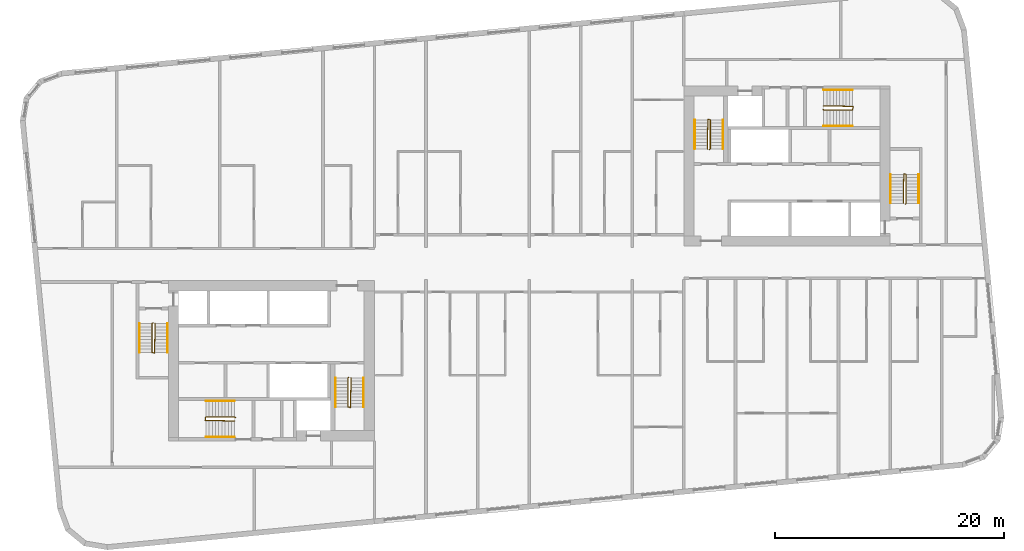
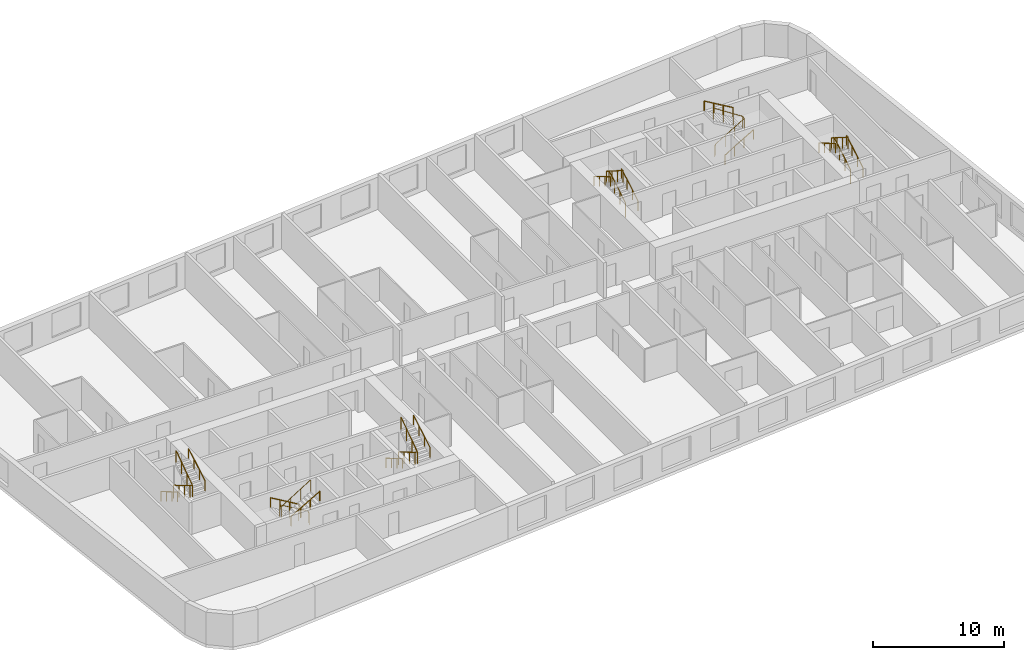
# One storey, part 12 of 12: 18 railings.
"""IFC4 building model written with IfcOpenShell, lengths in metres."""

from ifc_helpers import new_model, si_unit, direction, frame, origin, origin_2d, place, context, subcontext, project, spatial, circle, extrude, material, type_object, element, save


model = new_model("IFC4")

# Units and contexts
model_context = context("Model", 3, precision=1e-05, world=origin(), true_north=direction((0.0, 1.0)))
body_context = subcontext(model_context, "Body", "Model", "MODEL_VIEW")
ifc_project = project(units=[si_unit("LENGTHUNIT", "METRE"), si_unit("AREAUNIT", "SQUARE_METRE"), si_unit("VOLUMEUNIT", "CUBIC_METRE"), si_unit("PLANEANGLEUNIT", "RADIAN"), si_unit("MASSUNIT", "GRAM", prefix="KILO")], contexts=[model_context])

# Site, building, storey
site_placement = place(None, origin())
site = spatial("IfcSite", under=ifc_project, at=site_placement, CompositionType="ELEMENT")
building_placement = place(site_placement, origin())
building = spatial("IfcBuilding", under=site, at=building_placement, Name="Kajstack Hotel Tower", CompositionType="ELEMENT")
storey_placement = place(building_placement, frame((0.0, 0.0, 193.300048828125)))
storey = spatial("IfcBuildingStorey", under=building, at=storey_placement, Name="L46", CompositionType="ELEMENT", Elevation=193.300048828125)

# Railings
ifc_material = material(Name="Steel S355J2", Category="steel")
railing_type_1 = type_object("IfcRailingType", Name="Stair guard 1100", PredefinedType="GUARDRAIL", material=ifc_material)
railing_1_placement = place(storey_placement, frame((-32.85009765625, -5.199951171875, 0.0)))
element("IfcRailing", 1, at=railing_1_placement, inside=storey, type_object=railing_type_1, Name="L46 W1 stair guard 1", PredefinedType="GUARDRAIL", context=body_context, shape_type="SweptSolid", body=[
    extrude(circle(Radius=0.02392578125, at=origin_2d()), frame((0.0, 0.0, 1.076171875), z_axis=(-0.277450376394, -0.278810427259, 0.919394384522), x_axis=(0.708833529934, -0.705375805398, 0.0)), (0.0, 0.0, 1.0), 0.179443359375),
    extrude(circle(Radius=0.02392578125, at=origin_2d()), frame((-0.0498046875, -0.050048828125, 1.2412109375), z_axis=(0.0, -0.861560626758, 0.507654692109), x_axis=(1.0, 0.0, 0.0)), (0.0, 0.0, 1.0), 2.925048828125),
    extrude(circle(Radius=0.02392578125, at=origin_2d()), frame((-0.0498046875, -2.570068359375, 2.72607421875), z_axis=(0.970072785993, -0.242814311512, 0.0), x_axis=(0.242814311512, 0.970072785993, 0.0)), (0.0, 0.0, 1.0), 0.2060546875),
    extrude(circle(Radius=0.02392578125, at=origin_2d()), frame((0.150146484375, -2.6201171875, 2.72607421875), z_axis=(0.016384601254, 0.84136925563, 0.540212292087), x_axis=(-0.999810440751, 0.019470042781, 0.0)), (0.0, 0.0, 1.0), 3.0546875),
    extrude(circle(Radius=0.02099609375, at=origin_2d()), origin(), (0.0, 0.0, 1.0), 1.052001953125),
    extrude(circle(Radius=0.02099609375, at=origin_2d()), frame((-0.0498046875, -0.050048828125, 0.1650390625)), (0.0, 0.0, 1.0), 1.052001953125),
    extrude(circle(Radius=0.02099609375, at=origin_2d()), frame((-0.0498046875, -0.89013671875, 0.659912109375)), (0.0, 0.0, 1.0), 1.052001953125),
    extrude(circle(Radius=0.02099609375, at=origin_2d()), frame((-0.0498046875, -1.72998046875, 1.155029296875)), (0.0, 0.0, 1.0), 1.052001953125),
    extrude(circle(Radius=0.02099609375, at=origin_2d()), frame((-0.0498046875, -2.570068359375, 1.64990234375)), (0.0, 0.0, 1.0), 1.052001953125),
    extrude(circle(Radius=0.02099609375, at=origin_2d()), frame((0.150146484375, -2.6201171875, 1.64990234375)), (0.0, 0.0, 1.0), 1.052001953125),
    extrude(circle(Radius=0.02099609375, at=origin_2d()), frame((0.166748046875, -1.763427734375, 2.199951171875)), (0.0, 0.0, 1.0), 1.052001953125),
    extrude(circle(Radius=0.02099609375, at=origin_2d()), frame((0.18359375, -0.90673828125, 2.75)), (0.0, 0.0, 1.0), 1.052001953125),
    extrude(circle(Radius=0.02099609375, at=origin_2d()), frame((0.2001953125, -0.050048828125, 3.300048828125)), (0.0, 0.0, 1.0), 1.052001953125),
])
railing_2_placement = place(storey_placement, frame((-15.75, -9.949951171875, 0.0)))
element("IfcRailing", 2, at=railing_2_placement, inside=storey, type_object=railing_type_1, Name="L46 W2 stair guard 1", PredefinedType="GUARDRAIL", context=body_context, shape_type="SweptSolid", body=[
    extrude(circle(Radius=0.02392578125, at=origin_2d()), frame((0.0, 0.0, 1.076171875), z_axis=(-0.278705021027, -0.278705021027, 0.919046801044), x_axis=(0.707106781187, -0.707106781187, 0.0)), (0.0, 0.0, 1.0), 0.1796875),
    extrude(circle(Radius=0.02392578125, at=origin_2d()), frame((-0.050048828125, -0.050048828125, 1.2412109375), z_axis=(0.0, -0.861560626758, 0.507654692109), x_axis=(1.0, 0.0, 0.0)), (0.0, 0.0, 1.0), 2.925048828125),
    extrude(circle(Radius=0.02392578125, at=origin_2d()), frame((-0.050048828125, -2.570068359375, 2.72607421875), z_axis=(0.970072785993, -0.242814311512, 0.0), x_axis=(0.242814311512, 0.970072785993, 0.0)), (0.0, 0.0, 1.0), 0.2060546875),
    extrude(circle(Radius=0.02392578125, at=origin_2d()), frame((0.14990234375, -2.6201171875, 2.72607421875), z_axis=(0.016384601254, 0.84136925563, 0.540212292087), x_axis=(-0.999810440751, 0.019470042781, 0.0)), (0.0, 0.0, 1.0), 3.0546875),
    extrude(circle(Radius=0.02099609375, at=origin_2d()), origin(), (0.0, 0.0, 1.0), 1.052001953125),
    extrude(circle(Radius=0.02099609375, at=origin_2d()), frame((-0.050048828125, -0.050048828125, 0.1650390625)), (0.0, 0.0, 1.0), 1.052001953125),
    extrude(circle(Radius=0.02099609375, at=origin_2d()), frame((-0.050048828125, -0.89013671875, 0.659912109375)), (0.0, 0.0, 1.0), 1.052001953125),
    extrude(circle(Radius=0.02099609375, at=origin_2d()), frame((-0.050048828125, -1.72998046875, 1.155029296875)), (0.0, 0.0, 1.0), 1.052001953125),
    extrude(circle(Radius=0.02099609375, at=origin_2d()), frame((-0.050048828125, -2.570068359375, 1.64990234375)), (0.0, 0.0, 1.0), 1.052001953125),
    extrude(circle(Radius=0.02099609375, at=origin_2d()), frame((0.14990234375, -2.6201171875, 1.64990234375)), (0.0, 0.0, 1.0), 1.052001953125),
    extrude(circle(Radius=0.02099609375, at=origin_2d()), frame((0.16650390625, -1.763427734375, 2.199951171875)), (0.0, 0.0, 1.0), 1.052001953125),
    extrude(circle(Radius=0.02099609375, at=origin_2d()), frame((0.183349609375, -0.90673828125, 2.75)), (0.0, 0.0, 1.0), 1.052001953125),
    extrude(circle(Radius=0.02099609375, at=origin_2d()), frame((0.199951171875, -0.050048828125, 3.300048828125)), (0.0, 0.0, 1.0), 1.052001953125),
])
railing_3_placement = place(storey_placement, frame((-25.64990234375, -13.449951171875, 0.0)))
element("IfcRailing", 3, at=railing_3_placement, inside=storey, type_object=railing_type_1, Name="L46 W3 stair guard 1", PredefinedType="GUARDRAIL", context=body_context, shape_type="SweptSolid", body=[
    extrude(circle(Radius=0.02392578125, at=origin_2d()), frame((0.0, 0.0, 1.076171875), z_axis=(-0.278705021027, 0.278705021027, 0.919046801044), x_axis=(-0.707106781187, -0.707106781187, 0.0)), (0.0, 0.0, 1.0), 0.1796875),
    extrude(circle(Radius=0.02392578125, at=origin_2d()), frame((-0.050048828125, 0.050048828125, 1.2412109375), z_axis=(-0.861560626758, 0.0, 0.507654692109), x_axis=(0.0, -1.0, 0.0)), (0.0, 0.0, 1.0), 2.925048828125),
    extrude(circle(Radius=0.02392578125, at=origin_2d()), frame((-2.570068359375, 0.050048828125, 2.72607421875), z_axis=(-0.164529134168, -0.986372223864, 0.0), x_axis=(0.986372223864, -0.164529134168, 0.0)), (0.0, 0.0, 1.0), 0.30419921875),
    extrude(circle(Radius=0.02392578125, at=origin_2d()), frame((-2.6201171875, -0.25, 2.72607421875), z_axis=(0.84136925563, -0.016384601254, 0.540212292087), x_axis=(0.019470042781, 0.999810440751, 0.0)), (0.0, 0.0, 1.0), 3.0546875),
    extrude(circle(Radius=0.02099609375, at=origin_2d()), origin(), (0.0, 0.0, 1.0), 1.052001953125),
    extrude(circle(Radius=0.02099609375, at=origin_2d()), frame((-0.050048828125, 0.050048828125, 0.1650390625)), (0.0, 0.0, 1.0), 1.052001953125),
    extrude(circle(Radius=0.02099609375, at=origin_2d()), frame((-0.89013671875, 0.050048828125, 0.659912109375)), (0.0, 0.0, 1.0), 1.052001953125),
    extrude(circle(Radius=0.02099609375, at=origin_2d()), frame((-1.72998046875, 0.050048828125, 1.155029296875)), (0.0, 0.0, 1.0), 1.052001953125),
    extrude(circle(Radius=0.02099609375, at=origin_2d()), frame((-2.570068359375, 0.050048828125, 1.64990234375)), (0.0, 0.0, 1.0), 1.052001953125),
    extrude(circle(Radius=0.02099609375, at=origin_2d()), frame((-2.6201171875, -0.25, 1.64990234375)), (0.0, 0.0, 1.0), 1.052001953125),
    extrude(circle(Radius=0.02099609375, at=origin_2d()), frame((-1.763427734375, -0.2666015625, 2.199951171875)), (0.0, 0.0, 1.0), 1.052001953125),
    extrude(circle(Radius=0.02099609375, at=origin_2d()), frame((-0.90673828125, -0.283447265625, 2.75)), (0.0, 0.0, 1.0), 1.052001953125),
    extrude(circle(Radius=0.02099609375, at=origin_2d()), frame((-0.050048828125, -0.300048828125, 3.300048828125)), (0.0, 0.0, 1.0), 1.052001953125),
])
railing_4_placement = place(storey_placement, frame((32.85009765625, 5.199951171875, 0.0)))
element("IfcRailing", 4, at=railing_4_placement, inside=storey, type_object=railing_type_1, Name="L46 E1 stair guard 1", PredefinedType="GUARDRAIL", context=body_context, shape_type="SweptSolid", body=[
    extrude(circle(Radius=0.02392578125, at=origin_2d()), frame((0.0, 0.0, 1.076171875), z_axis=(0.277450376394, 0.278810427259, 0.919394384522), x_axis=(-0.708833529934, 0.705375805398, 0.0)), (0.0, 0.0, 1.0), 0.179443359375),
    extrude(circle(Radius=0.02392578125, at=origin_2d()), frame((0.0498046875, 0.050048828125, 1.2412109375), z_axis=(0.0, 0.861560626758, 0.507654692109), x_axis=(-1.0, 0.0, 0.0)), (0.0, 0.0, 1.0), 2.925048828125),
    extrude(circle(Radius=0.02392578125, at=origin_2d()), frame((0.0498046875, 2.570068359375, 2.72607421875), z_axis=(-0.970072785993, 0.242814311512, 0.0), x_axis=(-0.242814311512, -0.970072785993, 0.0)), (0.0, 0.0, 1.0), 0.2060546875),
    extrude(circle(Radius=0.02392578125, at=origin_2d()), frame((-0.150146484375, 2.6201171875, 2.72607421875), z_axis=(-0.016384601254, -0.84136925563, 0.540212292087), x_axis=(0.999810440751, -0.019470042781, 0.0)), (0.0, 0.0, 1.0), 3.0546875),
    extrude(circle(Radius=0.02099609375, at=origin_2d()), origin(), (0.0, 0.0, 1.0), 1.052001953125),
    extrude(circle(Radius=0.02099609375, at=origin_2d()), frame((0.0498046875, 0.050048828125, 0.1650390625)), (0.0, 0.0, 1.0), 1.052001953125),
    extrude(circle(Radius=0.02099609375, at=origin_2d()), frame((0.0498046875, 0.89013671875, 0.659912109375)), (0.0, 0.0, 1.0), 1.052001953125),
    extrude(circle(Radius=0.02099609375, at=origin_2d()), frame((0.0498046875, 1.72998046875, 1.155029296875)), (0.0, 0.0, 1.0), 1.052001953125),
    extrude(circle(Radius=0.02099609375, at=origin_2d()), frame((0.0498046875, 2.570068359375, 1.64990234375)), (0.0, 0.0, 1.0), 1.052001953125),
    extrude(circle(Radius=0.02099609375, at=origin_2d()), frame((-0.150146484375, 2.6201171875, 1.64990234375)), (0.0, 0.0, 1.0), 1.052001953125),
    extrude(circle(Radius=0.02099609375, at=origin_2d()), frame((-0.166748046875, 1.763427734375, 2.199951171875)), (0.0, 0.0, 1.0), 1.052001953125),
    extrude(circle(Radius=0.02099609375, at=origin_2d()), frame((-0.18359375, 0.90673828125, 2.75)), (0.0, 0.0, 1.0), 1.052001953125),
    extrude(circle(Radius=0.02099609375, at=origin_2d()), frame((-0.2001953125, 0.050048828125, 3.300048828125)), (0.0, 0.0, 1.0), 1.052001953125),
])
railing_5_placement = place(storey_placement, frame((15.75, 9.949951171875, 0.0)))
element("IfcRailing", 5, at=railing_5_placement, inside=storey, type_object=railing_type_1, Name="L46 E2 stair guard 1", PredefinedType="GUARDRAIL", context=body_context, shape_type="SweptSolid", body=[
    extrude(circle(Radius=0.02392578125, at=origin_2d()), frame((0.0, 0.0, 1.076171875), z_axis=(0.278705021027, 0.278705021027, 0.919046801044), x_axis=(-0.707106781187, 0.707106781187, 0.0)), (0.0, 0.0, 1.0), 0.1796875),
    extrude(circle(Radius=0.02392578125, at=origin_2d()), frame((0.050048828125, 0.050048828125, 1.2412109375), z_axis=(0.0, 0.861560626758, 0.507654692109), x_axis=(-1.0, 0.0, 0.0)), (0.0, 0.0, 1.0), 2.925048828125),
    extrude(circle(Radius=0.02392578125, at=origin_2d()), frame((0.050048828125, 2.570068359375, 2.72607421875), z_axis=(-0.970072785993, 0.242814311512, 0.0), x_axis=(-0.242814311512, -0.970072785993, 0.0)), (0.0, 0.0, 1.0), 0.2060546875),
    extrude(circle(Radius=0.02392578125, at=origin_2d()), frame((-0.14990234375, 2.6201171875, 2.72607421875), z_axis=(-0.016384601254, -0.84136925563, 0.540212292087), x_axis=(0.999810440751, -0.019470042781, 0.0)), (0.0, 0.0, 1.0), 3.0546875),
    extrude(circle(Radius=0.02099609375, at=origin_2d()), origin(), (0.0, 0.0, 1.0), 1.052001953125),
    extrude(circle(Radius=0.02099609375, at=origin_2d()), frame((0.050048828125, 0.050048828125, 0.1650390625)), (0.0, 0.0, 1.0), 1.052001953125),
    extrude(circle(Radius=0.02099609375, at=origin_2d()), frame((0.050048828125, 0.89013671875, 0.659912109375)), (0.0, 0.0, 1.0), 1.052001953125),
    extrude(circle(Radius=0.02099609375, at=origin_2d()), frame((0.050048828125, 1.72998046875, 1.155029296875)), (0.0, 0.0, 1.0), 1.052001953125),
    extrude(circle(Radius=0.02099609375, at=origin_2d()), frame((0.050048828125, 2.570068359375, 1.64990234375)), (0.0, 0.0, 1.0), 1.052001953125),
    extrude(circle(Radius=0.02099609375, at=origin_2d()), frame((-0.14990234375, 2.6201171875, 1.64990234375)), (0.0, 0.0, 1.0), 1.052001953125),
    extrude(circle(Radius=0.02099609375, at=origin_2d()), frame((-0.16650390625, 1.763427734375, 2.199951171875)), (0.0, 0.0, 1.0), 1.052001953125),
    extrude(circle(Radius=0.02099609375, at=origin_2d()), frame((-0.183349609375, 0.90673828125, 2.75)), (0.0, 0.0, 1.0), 1.052001953125),
    extrude(circle(Radius=0.02099609375, at=origin_2d()), frame((-0.199951171875, 0.050048828125, 3.300048828125)), (0.0, 0.0, 1.0), 1.052001953125),
])
railing_6_placement = place(storey_placement, frame((25.64990234375, 13.449951171875, 0.0)))
element("IfcRailing", 6, at=railing_6_placement, inside=storey, type_object=railing_type_1, Name="L46 E3 stair guard 1", PredefinedType="GUARDRAIL", context=body_context, shape_type="SweptSolid", body=[
    extrude(circle(Radius=0.02392578125, at=origin_2d()), frame((0.0, 0.0, 1.076171875), z_axis=(0.278705021027, -0.278705021027, 0.919046801044), x_axis=(0.707106781187, 0.707106781187, 0.0)), (0.0, 0.0, 1.0), 0.1796875),
    extrude(circle(Radius=0.02392578125, at=origin_2d()), frame((0.050048828125, -0.050048828125, 1.2412109375), z_axis=(0.861560626758, 0.0, 0.507654692109), x_axis=(0.0, 1.0, 0.0)), (0.0, 0.0, 1.0), 2.925048828125),
    extrude(circle(Radius=0.02392578125, at=origin_2d()), frame((2.570068359375, -0.050048828125, 2.72607421875), z_axis=(0.164529134168, 0.986372223864, 0.0), x_axis=(-0.986372223864, 0.164529134168, 0.0)), (0.0, 0.0, 1.0), 0.30419921875),
    extrude(circle(Radius=0.02392578125, at=origin_2d()), frame((2.6201171875, 0.25, 2.72607421875), z_axis=(-0.84136925563, 0.016384601254, 0.540212292087), x_axis=(-0.019470042781, -0.999810440751, 0.0)), (0.0, 0.0, 1.0), 3.0546875),
    extrude(circle(Radius=0.02099609375, at=origin_2d()), origin(), (0.0, 0.0, 1.0), 1.052001953125),
    extrude(circle(Radius=0.02099609375, at=origin_2d()), frame((0.050048828125, -0.050048828125, 0.1650390625)), (0.0, 0.0, 1.0), 1.052001953125),
    extrude(circle(Radius=0.02099609375, at=origin_2d()), frame((0.89013671875, -0.050048828125, 0.659912109375)), (0.0, 0.0, 1.0), 1.052001953125),
    extrude(circle(Radius=0.02099609375, at=origin_2d()), frame((1.72998046875, -0.050048828125, 1.155029296875)), (0.0, 0.0, 1.0), 1.052001953125),
    extrude(circle(Radius=0.02099609375, at=origin_2d()), frame((2.570068359375, -0.050048828125, 1.64990234375)), (0.0, 0.0, 1.0), 1.052001953125),
    extrude(circle(Radius=0.02099609375, at=origin_2d()), frame((2.6201171875, 0.25, 1.64990234375)), (0.0, 0.0, 1.0), 1.052001953125),
    extrude(circle(Radius=0.02099609375, at=origin_2d()), frame((1.763427734375, 0.2666015625, 2.199951171875)), (0.0, 0.0, 1.0), 1.052001953125),
    extrude(circle(Radius=0.02099609375, at=origin_2d()), frame((0.90673828125, 0.283447265625, 2.75)), (0.0, 0.0, 1.0), 1.052001953125),
    extrude(circle(Radius=0.02099609375, at=origin_2d()), frame((0.050048828125, 0.300048828125, 3.300048828125)), (0.0, 0.0, 1.0), 1.052001953125),
])
railing_type_2 = type_object("IfcRailingType", Name="Stair handrail 900", PredefinedType="HANDRAIL", material=ifc_material)
railing_7_placement = place(storey_placement, frame((-34.0, -5.25, 0.1650390625)))
element("IfcRailing", 7, at=railing_7_placement, inside=storey, type_object=railing_type_2, Name="L46 W1 stair handrail 1", PredefinedType="HANDRAIL", context=body_context, shape_type="SweptSolid", body=[
    extrude(circle(Radius=0.02392578125, at=origin_2d()), frame((0.0, 0.0, 0.8759765625), z_axis=(0.0, -0.861560626758, 0.507654692109), x_axis=(1.0, 0.0, 0.0)), (0.0, 0.0, 1.0), 2.925048828125),
    extrude(circle(Radius=0.02099609375, at=origin_2d()), origin(), (0.0, 0.0, 1.0), 0.851806640625),
    extrude(circle(Radius=0.02099609375, at=origin_2d()), frame((0.0, -0.840087890625, 0.494873046875)), (0.0, 0.0, 1.0), 0.851806640625),
    extrude(circle(Radius=0.02099609375, at=origin_2d()), frame((0.0, -1.679931640625, 0.989990234375)), (0.0, 0.0, 1.0), 0.851806640625),
    extrude(circle(Radius=0.02099609375, at=origin_2d()), frame((0.0, -2.52001953125, 1.48486328125)), (0.0, 0.0, 1.0), 0.851806640625),
])
railing_8_placement = place(storey_placement, frame((-31.550048828125, -7.77001953125, 1.81494140625)))
element("IfcRailing", 8, at=railing_8_placement, inside=storey, type_object=railing_type_2, Name="L46 W1 stair handrail 2", PredefinedType="HANDRAIL", context=body_context, shape_type="SweptSolid", body=[
    extrude(circle(Radius=0.02392578125, at=origin_2d()), frame((0.0, 0.0, 0.8759765625), z_axis=(0.0, 0.86152411907, 0.507716645641), x_axis=(-1.0, 0.0, 0.0)), (0.0, 0.0, 1.0), 2.925048828125),
    extrude(circle(Radius=0.02099609375, at=origin_2d()), origin(), (0.0, 0.0, 1.0), 0.851806640625),
    extrude(circle(Radius=0.02099609375, at=origin_2d()), frame((0.0, 0.840087890625, 0.4951171875)), (0.0, 0.0, 1.0), 0.851806640625),
    extrude(circle(Radius=0.02099609375, at=origin_2d()), frame((0.0, 1.679931640625, 0.989990234375)), (0.0, 0.0, 1.0), 0.851806640625),
    extrude(circle(Radius=0.02099609375, at=origin_2d()), frame((0.0, 2.52001953125, 1.485107421875)), (0.0, 0.0, 1.0), 0.851806640625),
])
railing_9_placement = place(storey_placement, frame((-16.89990234375, -10.0, 0.1650390625)))
element("IfcRailing", 9, at=railing_9_placement, inside=storey, type_object=railing_type_2, Name="L46 W2 stair handrail 1", PredefinedType="HANDRAIL", context=body_context, shape_type="SweptSolid", body=[
    extrude(circle(Radius=0.02392578125, at=origin_2d()), frame((0.0, 0.0, 0.8759765625), z_axis=(0.0, -0.861560626758, 0.507654692109), x_axis=(1.0, 0.0, 0.0)), (0.0, 0.0, 1.0), 2.925048828125),
    extrude(circle(Radius=0.02099609375, at=origin_2d()), origin(), (0.0, 0.0, 1.0), 0.851806640625),
    extrude(circle(Radius=0.02099609375, at=origin_2d()), frame((0.0, -0.840087890625, 0.494873046875)), (0.0, 0.0, 1.0), 0.851806640625),
    extrude(circle(Radius=0.02099609375, at=origin_2d()), frame((0.0, -1.679931640625, 0.989990234375)), (0.0, 0.0, 1.0), 0.851806640625),
    extrude(circle(Radius=0.02099609375, at=origin_2d()), frame((0.0, -2.52001953125, 1.48486328125)), (0.0, 0.0, 1.0), 0.851806640625),
])
railing_10_placement = place(storey_placement, frame((-14.449951171875, -12.52001953125, 1.81494140625)))
element("IfcRailing", 10, at=railing_10_placement, inside=storey, type_object=railing_type_2, Name="L46 W2 stair handrail 2", PredefinedType="HANDRAIL", context=body_context, shape_type="SweptSolid", body=[
    extrude(circle(Radius=0.02392578125, at=origin_2d()), frame((0.0, 0.0, 0.8759765625), z_axis=(0.0, 0.86152411907, 0.507716645641), x_axis=(-1.0, 0.0, 0.0)), (0.0, 0.0, 1.0), 2.925048828125),
    extrude(circle(Radius=0.02099609375, at=origin_2d()), origin(), (0.0, 0.0, 1.0), 0.851806640625),
    extrude(circle(Radius=0.02099609375, at=origin_2d()), frame((0.0, 0.840087890625, 0.4951171875)), (0.0, 0.0, 1.0), 0.851806640625),
    extrude(circle(Radius=0.02099609375, at=origin_2d()), frame((0.0, 1.679931640625, 0.989990234375)), (0.0, 0.0, 1.0), 0.851806640625),
    extrude(circle(Radius=0.02099609375, at=origin_2d()), frame((0.0, 2.52001953125, 1.485107421875)), (0.0, 0.0, 1.0), 0.851806640625),
])
railing_11_placement = place(storey_placement, frame((-25.699951171875, -12.0, 0.1650390625)))
element("IfcRailing", 11, at=railing_11_placement, inside=storey, type_object=railing_type_2, Name="L46 W3 stair handrail 1", PredefinedType="HANDRAIL", context=body_context, shape_type="SweptSolid", body=[
    extrude(circle(Radius=0.02392578125, at=origin_2d()), frame((0.0, 0.0, 0.8759765625), z_axis=(-0.861560626758, 0.0, 0.507654692109), x_axis=(0.0, -1.0, 0.0)), (0.0, 0.0, 1.0), 2.925048828125),
    extrude(circle(Radius=0.02099609375, at=origin_2d()), origin(), (0.0, 0.0, 1.0), 0.851806640625),
    extrude(circle(Radius=0.02099609375, at=origin_2d()), frame((-0.840087890625, 0.0, 0.494873046875)), (0.0, 0.0, 1.0), 0.851806640625),
    extrude(circle(Radius=0.02099609375, at=origin_2d()), frame((-1.679931640625, 0.0, 0.989990234375)), (0.0, 0.0, 1.0), 0.851806640625),
    extrude(circle(Radius=0.02099609375, at=origin_2d()), frame((-2.52001953125, 0.0, 1.48486328125)), (0.0, 0.0, 1.0), 0.851806640625),
])
railing_12_placement = place(storey_placement, frame((-28.219970703125, -15.14990234375, 1.81494140625)))
element("IfcRailing", 12, at=railing_12_placement, inside=storey, type_object=railing_type_2, Name="L46 W3 stair handrail 2", PredefinedType="HANDRAIL", context=body_context, shape_type="SweptSolid", body=[
    extrude(circle(Radius=0.02392578125, at=origin_2d()), frame((0.0, 0.0, 0.8759765625), z_axis=(0.86152411907, 0.0, 0.507716645641), x_axis=(0.0, 1.0, 0.0)), (0.0, 0.0, 1.0), 2.925048828125),
    extrude(circle(Radius=0.02099609375, at=origin_2d()), origin(), (0.0, 0.0, 1.0), 0.851806640625),
    extrude(circle(Radius=0.02099609375, at=origin_2d()), frame((0.840087890625, 0.0, 0.4951171875)), (0.0, 0.0, 1.0), 0.851806640625),
    extrude(circle(Radius=0.02099609375, at=origin_2d()), frame((1.679931640625, 0.0, 0.989990234375)), (0.0, 0.0, 1.0), 0.851806640625),
    extrude(circle(Radius=0.02099609375, at=origin_2d()), frame((2.52001953125, 0.0, 1.485107421875)), (0.0, 0.0, 1.0), 0.851806640625),
])
railing_13_placement = place(storey_placement, frame((34.0, 5.25, 0.1650390625)))
element("IfcRailing", 13, at=railing_13_placement, inside=storey, type_object=railing_type_2, Name="L46 E1 stair handrail 1", PredefinedType="HANDRAIL", context=body_context, shape_type="SweptSolid", body=[
    extrude(circle(Radius=0.02392578125, at=origin_2d()), frame((0.0, 0.0, 0.8759765625), z_axis=(0.0, 0.861560626758, 0.507654692109), x_axis=(-1.0, 0.0, 0.0)), (0.0, 0.0, 1.0), 2.925048828125),
    extrude(circle(Radius=0.02099609375, at=origin_2d()), origin(), (0.0, 0.0, 1.0), 0.851806640625),
    extrude(circle(Radius=0.02099609375, at=origin_2d()), frame((0.0, 0.840087890625, 0.494873046875)), (0.0, 0.0, 1.0), 0.851806640625),
    extrude(circle(Radius=0.02099609375, at=origin_2d()), frame((0.0, 1.679931640625, 0.989990234375)), (0.0, 0.0, 1.0), 0.851806640625),
    extrude(circle(Radius=0.02099609375, at=origin_2d()), frame((0.0, 2.52001953125, 1.48486328125)), (0.0, 0.0, 1.0), 0.851806640625),
])
railing_14_placement = place(storey_placement, frame((31.550048828125, 7.77001953125, 1.81494140625)))
element("IfcRailing", 14, at=railing_14_placement, inside=storey, type_object=railing_type_2, Name="L46 E1 stair handrail 2", PredefinedType="HANDRAIL", context=body_context, shape_type="SweptSolid", body=[
    extrude(circle(Radius=0.02392578125, at=origin_2d()), frame((0.0, 0.0, 0.8759765625), z_axis=(0.0, -0.86152411907, 0.507716645641), x_axis=(1.0, 0.0, 0.0)), (0.0, 0.0, 1.0), 2.925048828125),
    extrude(circle(Radius=0.02099609375, at=origin_2d()), origin(), (0.0, 0.0, 1.0), 0.851806640625),
    extrude(circle(Radius=0.02099609375, at=origin_2d()), frame((0.0, -0.840087890625, 0.4951171875)), (0.0, 0.0, 1.0), 0.851806640625),
    extrude(circle(Radius=0.02099609375, at=origin_2d()), frame((0.0, -1.679931640625, 0.989990234375)), (0.0, 0.0, 1.0), 0.851806640625),
    extrude(circle(Radius=0.02099609375, at=origin_2d()), frame((0.0, -2.52001953125, 1.485107421875)), (0.0, 0.0, 1.0), 0.851806640625),
])
railing_15_placement = place(storey_placement, frame((16.89990234375, 10.0, 0.1650390625)))
element("IfcRailing", 15, at=railing_15_placement, inside=storey, type_object=railing_type_2, Name="L46 E2 stair handrail 1", PredefinedType="HANDRAIL", context=body_context, shape_type="SweptSolid", body=[
    extrude(circle(Radius=0.02392578125, at=origin_2d()), frame((0.0, 0.0, 0.8759765625), z_axis=(0.0, 0.861560626758, 0.507654692109), x_axis=(-1.0, 0.0, 0.0)), (0.0, 0.0, 1.0), 2.925048828125),
    extrude(circle(Radius=0.02099609375, at=origin_2d()), origin(), (0.0, 0.0, 1.0), 0.851806640625),
    extrude(circle(Radius=0.02099609375, at=origin_2d()), frame((0.0, 0.840087890625, 0.494873046875)), (0.0, 0.0, 1.0), 0.851806640625),
    extrude(circle(Radius=0.02099609375, at=origin_2d()), frame((0.0, 1.679931640625, 0.989990234375)), (0.0, 0.0, 1.0), 0.851806640625),
    extrude(circle(Radius=0.02099609375, at=origin_2d()), frame((0.0, 2.52001953125, 1.48486328125)), (0.0, 0.0, 1.0), 0.851806640625),
])
railing_16_placement = place(storey_placement, frame((14.449951171875, 12.52001953125, 1.81494140625)))
element("IfcRailing", 16, at=railing_16_placement, inside=storey, type_object=railing_type_2, Name="L46 E2 stair handrail 2", PredefinedType="HANDRAIL", context=body_context, shape_type="SweptSolid", body=[
    extrude(circle(Radius=0.02392578125, at=origin_2d()), frame((0.0, 0.0, 0.8759765625), z_axis=(0.0, -0.86152411907, 0.507716645641), x_axis=(1.0, 0.0, 0.0)), (0.0, 0.0, 1.0), 2.925048828125),
    extrude(circle(Radius=0.02099609375, at=origin_2d()), origin(), (0.0, 0.0, 1.0), 0.851806640625),
    extrude(circle(Radius=0.02099609375, at=origin_2d()), frame((0.0, -0.840087890625, 0.4951171875)), (0.0, 0.0, 1.0), 0.851806640625),
    extrude(circle(Radius=0.02099609375, at=origin_2d()), frame((0.0, -1.679931640625, 0.989990234375)), (0.0, 0.0, 1.0), 0.851806640625),
    extrude(circle(Radius=0.02099609375, at=origin_2d()), frame((0.0, -2.52001953125, 1.485107421875)), (0.0, 0.0, 1.0), 0.851806640625),
])
railing_17_placement = place(storey_placement, frame((25.699951171875, 12.0, 0.1650390625)))
element("IfcRailing", 17, at=railing_17_placement, inside=storey, type_object=railing_type_2, Name="L46 E3 stair handrail 1", PredefinedType="HANDRAIL", context=body_context, shape_type="SweptSolid", body=[
    extrude(circle(Radius=0.02392578125, at=origin_2d()), frame((0.0, 0.0, 0.8759765625), z_axis=(0.861560626758, 0.0, 0.507654692109), x_axis=(0.0, 1.0, 0.0)), (0.0, 0.0, 1.0), 2.925048828125),
    extrude(circle(Radius=0.02099609375, at=origin_2d()), origin(), (0.0, 0.0, 1.0), 0.851806640625),
    extrude(circle(Radius=0.02099609375, at=origin_2d()), frame((0.840087890625, 0.0, 0.494873046875)), (0.0, 0.0, 1.0), 0.851806640625),
    extrude(circle(Radius=0.02099609375, at=origin_2d()), frame((1.679931640625, 0.0, 0.989990234375)), (0.0, 0.0, 1.0), 0.851806640625),
    extrude(circle(Radius=0.02099609375, at=origin_2d()), frame((2.52001953125, 0.0, 1.48486328125)), (0.0, 0.0, 1.0), 0.851806640625),
])
railing_18_placement = place(storey_placement, frame((28.219970703125, 15.14990234375, 1.81494140625)))
element("IfcRailing", 18, at=railing_18_placement, inside=storey, type_object=railing_type_2, Name="L46 E3 stair handrail 2", PredefinedType="HANDRAIL", context=body_context, shape_type="SweptSolid", body=[
    extrude(circle(Radius=0.02392578125, at=origin_2d()), frame((0.0, 0.0, 0.8759765625), z_axis=(-0.86152411907, 0.0, 0.507716645641), x_axis=(0.0, -1.0, 0.0)), (0.0, 0.0, 1.0), 2.925048828125),
    extrude(circle(Radius=0.02099609375, at=origin_2d()), origin(), (0.0, 0.0, 1.0), 0.851806640625),
    extrude(circle(Radius=0.02099609375, at=origin_2d()), frame((-0.840087890625, 0.0, 0.4951171875)), (0.0, 0.0, 1.0), 0.851806640625),
    extrude(circle(Radius=0.02099609375, at=origin_2d()), frame((-1.679931640625, 0.0, 0.989990234375)), (0.0, 0.0, 1.0), 0.851806640625),
    extrude(circle(Radius=0.02099609375, at=origin_2d()), frame((-2.52001953125, 0.0, 1.485107421875)), (0.0, 0.0, 1.0), 0.851806640625),
])

save(model, "model.ifc")
